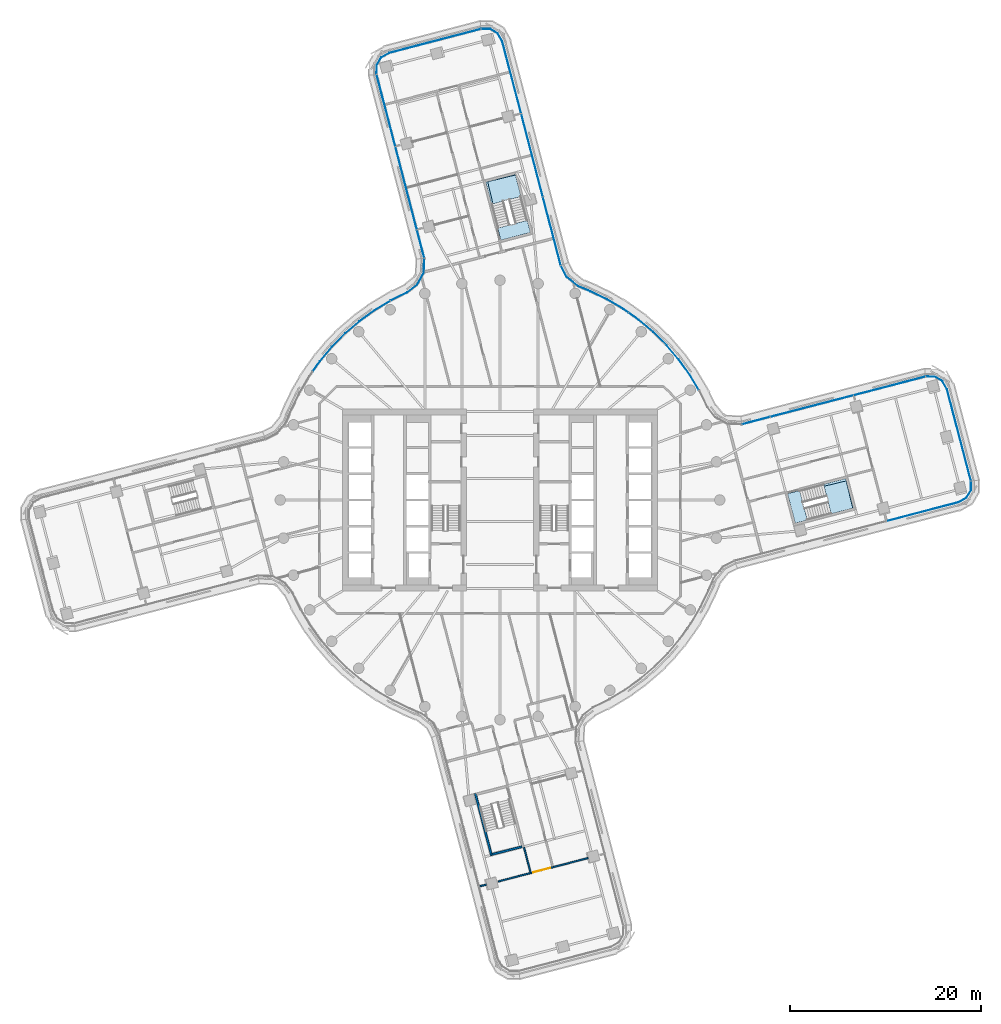
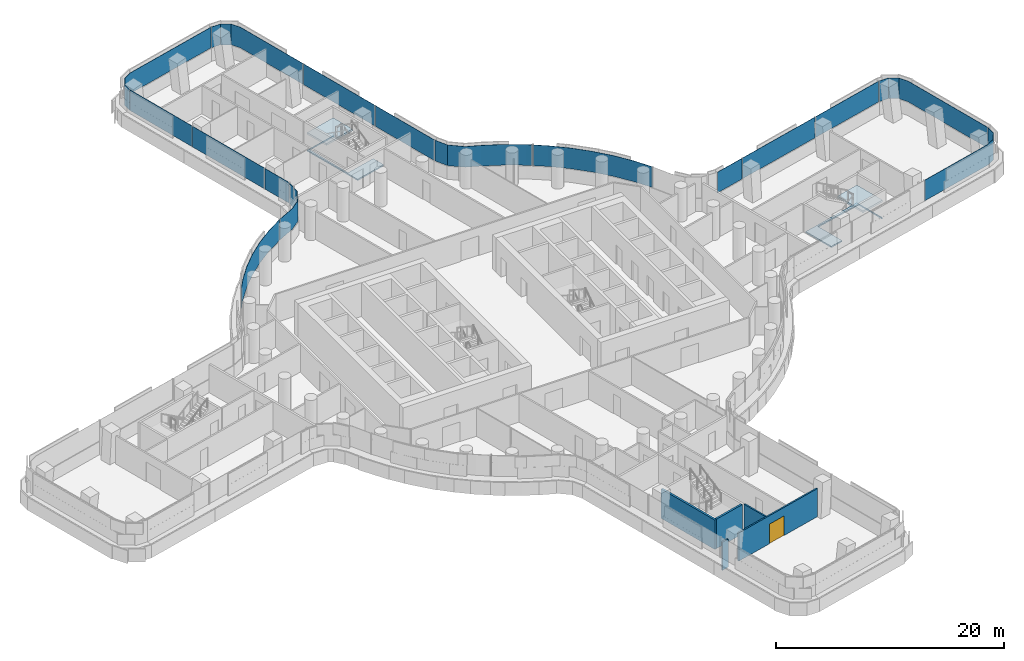
# One storey, part 17 of 30: 16 plates, 5 walls, 4 slabs, 1 door, 1 opening, 10 elements without a shape of their own.
"""IFC4 building model written with IfcOpenShell, lengths in metres."""

from ifc_helpers import new_model, si_unit, direction, frame, frame_2d, origin, place, context, subcontext, project, spatial, polyline, rectangle, outline, extrude, material, layer, layer_set, type_object, element, fill, aggregate, save


model = new_model("IFC4")

# Units and contexts
model_context = context("Model", 3, precision=1e-05, world=origin(), true_north=direction((0.0, 1.0)))
body_context = subcontext(model_context, "Body", "Model", "MODEL_VIEW")
ifc_project = project(units=[si_unit("LENGTHUNIT", "METRE"), si_unit("AREAUNIT", "SQUARE_METRE"), si_unit("VOLUMEUNIT", "CUBIC_METRE"), si_unit("PLANEANGLEUNIT", "RADIAN"), si_unit("MASSUNIT", "GRAM", prefix="KILO")], contexts=[model_context])

# Site, building, storey
site_placement = place(None, origin())
site = spatial("IfcSite", under=ifc_project, at=site_placement, CompositionType="ELEMENT")
building_placement = place(site_placement, origin())
building = spatial("IfcBuilding", under=site, at=building_placement, Name="Tamarind Cross Interchange Tower", CompositionType="ELEMENT")
storey_placement = place(building_placement, frame((0.0, 0.0, 87.25)))
storey = spatial("IfcBuildingStorey", under=building, at=storey_placement, Name="L20", CompositionType="ELEMENT", Elevation=87.25)

# Slabs
ifc_material_1 = material(Name="Concrete C35", Category="concrete")
ifc_layer_1 = layer(ifc_material_1, 0.139892578125)
ifc_layer_set_1 = layer_set([ifc_layer_1], Name="Concrete C35")
slab_type_1 = type_object("IfcSlabType", Name="Composite slab 140 Concrete C35", PredefinedType="FLOOR", material=ifc_layer_set_1)
slab_1_placement = place(storey_placement, frame((0.0, 0.0, -0.139892578125)))
element("IfcSlab", 1, at=slab_1_placement, inside=storey, type_object=slab_type_1, Name="Floor slab L20", PredefinedType="FLOOR", context=body_context, shape_type="SweptSolid", body=[
    extrude(outline(polyline([(0.092041015625, 27.19140625), (3.188232421875, 27.99951171875), (2.85693359375, 29.26904296875), (-0.127685546875, 28.489990234375), (-1.29296875, 33.312744140625), (1.617919921875, 34.01611328125), (1.597412109375, 34.095458984375), (-1.498779296875, 33.287353515625), (0.092041015625, 27.19140625)])), origin(), (0.0, 0.0, 1.0), 0.139892578125),
])
slab_2_placement = place(storey_placement, frame((0.0, 0.0, -0.139892578125)))
element("IfcSlab", 2, at=slab_2_placement, inside=storey, type_object=slab_type_1, Name="Floor slab L20", PredefinedType="FLOOR", context=body_context, shape_type="SweptSolid", body=[
    extrude(outline(polyline([(36.22900390625, 1.997314453125), (36.919189453125, -0.8603515625), (36.998291015625, -0.83984375), (36.190185546875, 2.256591796875), (30.09423828125, 0.66552734375), (30.90234375, -2.4306640625), (32.171875, -2.099365234375), (31.40673828125, 0.83251953125), (36.22900390625, 1.997314453125)])), origin(), (0.0, 0.0, 1.0), 0.139892578125),
])

# Stair, slab
ifc_material_2 = material(Name="Exit stair")
stair_type = type_object("IfcStairType", Name="Exit stair", PredefinedType="HALF_TURN_STAIR", material=ifc_material_2)
stair_1_placement = place(storey_placement, origin())
stair_1 = element("IfcStair", 3, at=stair_1_placement, inside=storey, type_object=stair_type, Name="L20 exit stair ST3", PredefinedType="HALF_TURN_STAIR")
ifc_material_3 = material(Name="Concrete C40", Category="concrete")
ifc_layer_2 = layer(ifc_material_3, 0.199951171875)
ifc_layer_set_2 = layer_set([ifc_layer_2], Name="Concrete C40")
slab_type_2 = type_object("IfcSlabType", Name="Stair landing", PredefinedType="LANDING", material=ifc_layer_set_2)
slab_3_placement = place(storey_placement, frame((0.0, 0.0, 1.675048828125)))
slab_3 = element("IfcSlab", 4, at=slab_3_placement, type_object=slab_type_2, Name="ST3 landing 1", PredefinedType="LANDING", context=body_context, shape_type="SweptSolid", body=[
    extrude(outline(polyline([(34.664306640625, -1.44873046875), (36.998046875, -0.83984375), (36.190185546875, 2.256591796875), (33.856201171875, 1.6474609375), (34.664306640625, -1.44873046875)])), origin(), (0.0, 0.0, 1.0), 0.199951171875),
])
aggregate(stair_1, [slab_3])

stair_2_placement = place(storey_placement, origin())
stair_2 = element("IfcStair", 5, at=stair_2_placement, inside=storey, type_object=stair_type, Name="L20 exit stair ST4", PredefinedType="HALF_TURN_STAIR")
slab_4_placement = place(storey_placement, frame((0.0, 0.0, 1.675048828125)))
slab_4 = element("IfcSlab", 6, at=slab_4_placement, type_object=slab_type_2, Name="ST4 landing 1", PredefinedType="LANDING", context=body_context, shape_type="SweptSolid", body=[
    extrude(outline(polyline([(2.20654296875, 31.761474609375), (1.597412109375, 34.095458984375), (-1.4990234375, 33.287353515625), (-0.889892578125, 30.953369140625), (2.20654296875, 31.761474609375)])), origin(), (0.0, 0.0, 1.0), 0.199951171875),
])
aggregate(stair_2, [slab_4])

# Curtain wall, plate
ifc_material_4 = material(Name="Aluminium 6063-T6", Category="aluminium")
ifc_layer_3 = layer(ifc_material_4, 0.159912109375)
ifc_layer_set_3 = layer_set([ifc_layer_3], Name="Aluminium 6063-T6")
curtain_wall_type = type_object("IfcCurtainWallType", Name="Office curtain wall, 9.0 m bays", PredefinedType="NOTDEFINED", material=ifc_layer_set_3)
curtain_wall_1_placement = place(storey_placement, origin())
curtain_wall_1 = element("IfcCurtainWall", 7, at=curtain_wall_1_placement, inside=storey, type_object=curtain_wall_type, Name="CWS-L20-00", PredefinedType="NOTDEFINED")
ifc_material_5 = material(Name="Laminated low-e glass 8+1.52+8", Category="glass")
ifc_layer_4 = layer(ifc_material_5, 0.028076171875)
ifc_layer_set_4 = layer_set([ifc_layer_4], Name="Laminated low-e glass 8+1.52+8")
plate_type = type_object("IfcPlateType", Name="Vision panel CW1", PredefinedType="CURTAIN_PANEL", material=ifc_layer_set_4)
plate_1_placement = place(storey_placement, frame((0.0, 0.0, 1.39990234375)))
plate_1 = element("IfcPlate", 8, at=plate_1_placement, type_object=plate_type, Name="CWP-L20-00-00", PredefinedType="CURTAIN_PANEL", context=body_context, shape_type="SweptSolid", body=[
    extrude(outline(polyline([(-2.0087890625, 49.273681640625), (-11.60302734375, 46.76953125), (-12.428466796875, 46.300048828125), (-12.89404296875, 45.505859375), (-12.89990234375, 44.584228515625), (-12.927978515625, 44.58447265625), (-12.921875, 45.513671875), (-12.448974609375, 46.32080078125), (-11.613525390625, 46.7958984375), (-2.015869140625, 49.30078125), (-2.0087890625, 49.273681640625)])), origin(), (0.0, 0.0, 1.0), 2.210205078125),
])
aggregate(curtain_wall_1, [plate_1])

# Curtain wall, plates
curtain_wall_2_placement = place(storey_placement, origin())
curtain_wall_2 = element("IfcCurtainWall", 9, at=curtain_wall_2_placement, inside=storey, type_object=curtain_wall_type, Name="CWS-L20-01", PredefinedType="NOTDEFINED")
plate_2_placement = place(storey_placement, frame((0.0, 0.0, 1.39990234375)))
plate_2 = element("IfcPlate", 10, at=plate_2_placement, type_object=plate_type, Name="CWP-L20-01-00", PredefinedType="CURTAIN_PANEL", context=body_context, shape_type="SweptSolid", body=[
    extrude(outline(polyline([(-12.89306640625, 44.52880859375), (-10.945068359375, 37.025146484375), (-10.972412109375, 37.01806640625), (-12.920166015625, 44.521728515625), (-12.89306640625, 44.52880859375)])), origin(), (0.0, 0.0, 1.0), 2.210205078125),
])
plate_3_placement = place(storey_placement, frame((0.0, 0.0, 1.39990234375)))
plate_3 = element("IfcPlate", 11, at=plate_3_placement, type_object=plate_type, Name="CWP-L20-01-01", PredefinedType="CURTAIN_PANEL", context=body_context, shape_type="SweptSolid", body=[
    extrude(outline(polyline([(-10.93017578125, 36.967041015625), (-8.683349609375, 28.312255859375), (-8.71044921875, 28.30517578125), (-10.957275390625, 36.9599609375), (-10.93017578125, 36.967041015625)])), origin(), (0.0, 0.0, 1.0), 2.210205078125),
])
plate_4_placement = place(storey_placement, frame((0.0, 0.0, 1.39990234375)))
plate_4 = element("IfcPlate", 12, at=plate_4_placement, type_object=plate_type, Name="CWP-L20-01-02", PredefinedType="CURTAIN_PANEL", context=body_context, shape_type="SweptSolid", body=[
    extrude(outline(polyline([(-8.668212890625, 28.254150390625), (-7.911376953125, 25.338623046875), (-7.9384765625, 25.33154296875), (-8.6953125, 28.2470703125), (-8.668212890625, 28.254150390625)])), origin(), (0.0, 0.0, 1.0), 2.210205078125),
])
aggregate(curtain_wall_2, [plate_2, plate_3, plate_4])

curtain_wall_3_placement = place(storey_placement, origin())
curtain_wall_3 = element("IfcCurtainWall", 13, at=curtain_wall_3_placement, inside=storey, type_object=curtain_wall_type, Name="CWS-L20-02", PredefinedType="NOTDEFINED")
plate_5_placement = place(storey_placement, frame((0.0, 0.0, 1.39990234375)))
plate_5 = element("IfcPlate", 14, at=plate_5_placement, type_object=plate_type, Name="CWP-L20-02-00", PredefinedType="CURTAIN_PANEL", context=body_context, shape_type="SweptSolid", body=[
    extrude(outline(polyline([(-7.90478515625, 25.275390625), (-7.969482421875, 23.771728515625), (-8.66455078125, 22.517822265625), (-9.695068359375, 21.7138671875), (-11.40869140625, 20.866455078125), (-11.4423828125, 20.84619140625), (-11.456787109375, 20.870361328125), (-11.422119140625, 20.89111328125), (-9.710205078125, 21.73779296875), (-8.686279296875, 22.536376953125), (-7.9970703125, 23.779541015625), (-7.9326171875, 25.276611328125), (-7.90478515625, 25.275390625)])), origin(), (0.0, 0.0, 1.0), 2.210205078125),
])
plate_6_placement = place(storey_placement, frame((0.0, 0.0, 1.39990234375)))
plate_6 = element("IfcPlate", 15, at=plate_6_placement, type_object=plate_type, Name="CWP-L20-02-01", PredefinedType="CURTAIN_PANEL", context=body_context, shape_type="SweptSolid", body=[
    extrude(outline(polyline([(-11.493896484375, 20.8154296875), (-13.093017578125, 19.85302734375), (-14.687744140625, 18.7041015625), (-16.18212890625, 17.42724609375), (-17.56591796875, 16.031494140625), (-18.829833984375, 14.526123046875), (-19.591796875, 13.448974609375), (-19.61474609375, 13.46533203125), (-18.85205078125, 14.543212890625), (-17.586669921875, 16.05029296875), (-16.201171875, 17.44775390625), (-14.705078125, 18.72607421875), (-13.1083984375, 19.87646484375), (-11.50830078125, 20.83935546875), (-11.493896484375, 20.8154296875)])), origin(), (0.0, 0.0, 1.0), 2.210205078125),
])
aggregate(curtain_wall_3, [plate_5, plate_6])

# Curtain wall, plate
curtain_wall_4_placement = place(storey_placement, origin())
curtain_wall_4 = element("IfcCurtainWall", 16, at=curtain_wall_4_placement, inside=storey, type_object=curtain_wall_type, Name="CWS-L20-11", PredefinedType="NOTDEFINED")
plate_7_placement = place(storey_placement, frame((0.0, 0.0, 1.39990234375)))
plate_7 = element("IfcPlate", 17, at=plate_7_placement, type_object=plate_type, Name="CWP-L20-11-02", PredefinedType="CURTAIN_PANEL", context=body_context, shape_type="SweptSolid", body=[
    extrude(outline(polyline([(40.4580078125, -2.196044921875), (47.9833984375, -0.23193359375), (48.80908203125, 0.237548828125), (49.2744140625, 1.03173828125), (49.280517578125, 1.953369140625), (49.30859375, 1.953125), (49.302490234375, 1.024169921875), (48.829345703125, 0.217041015625), (47.994140625, -0.258056640625), (40.465087890625, -2.22314453125), (40.4580078125, -2.196044921875)])), origin(), (0.0, 0.0, 1.0), 2.210205078125),
])
aggregate(curtain_wall_4, [plate_7])

curtain_wall_5_placement = place(storey_placement, origin())
curtain_wall_5 = element("IfcCurtainWall", 18, at=curtain_wall_5_placement, inside=storey, type_object=curtain_wall_type, Name="CWS-L20-12", PredefinedType="NOTDEFINED")
plate_8_placement = place(storey_placement, frame((0.0, 0.0, 1.39990234375)))
plate_8 = element("IfcPlate", 19, at=plate_8_placement, type_object=plate_type, Name="CWP-L20-12-00", PredefinedType="CURTAIN_PANEL", context=body_context, shape_type="SweptSolid", body=[
    extrude(outline(polyline([(49.273681640625, 2.0087890625), (46.76953125, 11.60302734375), (46.300048828125, 12.428466796875), (45.505859375, 12.89404296875), (44.584228515625, 12.89990234375), (44.58447265625, 12.927978515625), (45.513671875, 12.921875), (46.32080078125, 12.448974609375), (46.7958984375, 11.613525390625), (49.30078125, 2.015869140625), (49.273681640625, 2.0087890625)])), origin(), (0.0, 0.0, 1.0), 2.210205078125),
])
aggregate(curtain_wall_5, [plate_8])

# Curtain wall, plates
curtain_wall_6_placement = place(storey_placement, origin())
curtain_wall_6 = element("IfcCurtainWall", 20, at=curtain_wall_6_placement, inside=storey, type_object=curtain_wall_type, Name="CWS-L20-13", PredefinedType="NOTDEFINED")
plate_9_placement = place(storey_placement, frame((0.0, 0.0, 1.39990234375)))
plate_9 = element("IfcPlate", 21, at=plate_9_placement, type_object=plate_type, Name="CWP-L20-13-00", PredefinedType="CURTAIN_PANEL", context=body_context, shape_type="SweptSolid", body=[
    extrude(outline(polyline([(44.52880859375, 12.89306640625), (37.025146484375, 10.945068359375), (37.01806640625, 10.972412109375), (44.521728515625, 12.920166015625), (44.52880859375, 12.89306640625)])), origin(), (0.0, 0.0, 1.0), 2.210205078125),
])
plate_10_placement = place(storey_placement, frame((0.0, 0.0, 1.39990234375)))
plate_10 = element("IfcPlate", 22, at=plate_10_placement, type_object=plate_type, Name="CWP-L20-13-01", PredefinedType="CURTAIN_PANEL", context=body_context, shape_type="SweptSolid", body=[
    extrude(outline(polyline([(36.967041015625, 10.93017578125), (28.312255859375, 8.683349609375), (28.30517578125, 8.71044921875), (36.9599609375, 10.957275390625), (36.967041015625, 10.93017578125)])), origin(), (0.0, 0.0, 1.0), 2.210205078125),
])
plate_11_placement = place(storey_placement, frame((0.0, 0.0, 1.39990234375)))
plate_11 = element("IfcPlate", 23, at=plate_11_placement, type_object=plate_type, Name="CWP-L20-13-02", PredefinedType="CURTAIN_PANEL", context=body_context, shape_type="SweptSolid", body=[
    extrude(outline(polyline([(28.254150390625, 8.668212890625), (25.338623046875, 7.911376953125), (25.33154296875, 7.9384765625), (28.2470703125, 8.6953125), (28.254150390625, 8.668212890625)])), origin(), (0.0, 0.0, 1.0), 2.210205078125),
])
aggregate(curtain_wall_6, [plate_9, plate_10, plate_11])

curtain_wall_7_placement = place(storey_placement, origin())
curtain_wall_7 = element("IfcCurtainWall", 24, at=curtain_wall_7_placement, inside=storey, type_object=curtain_wall_type, Name="CWS-L20-14", PredefinedType="NOTDEFINED")
plate_12_placement = place(storey_placement, frame((0.0, 0.0, 1.39990234375)))
plate_12 = element("IfcPlate", 25, at=plate_12_placement, type_object=plate_type, Name="CWP-L20-14-01", PredefinedType="CURTAIN_PANEL", context=body_context, shape_type="SweptSolid", body=[
    extrude(outline(polyline([(20.8154296875, 11.493896484375), (19.85302734375, 13.093017578125), (18.7041015625, 14.687744140625), (17.42724609375, 16.18212890625), (16.031494140625, 17.56591796875), (14.526123046875, 18.829833984375), (13.448974609375, 19.591796875), (13.46533203125, 19.61474609375), (14.543212890625, 18.85205078125), (16.05029296875, 17.586669921875), (17.44775390625, 16.201171875), (18.72607421875, 14.705078125), (19.87646484375, 13.1083984375), (20.83935546875, 11.50830078125), (20.8154296875, 11.493896484375)])), origin(), (0.0, 0.0, 1.0), 2.210205078125),
])
plate_13_placement = place(storey_placement, frame((0.0, 0.0, 1.39990234375)))
plate_13 = element("IfcPlate", 26, at=plate_13_placement, type_object=plate_type, Name="CWP-L20-14-02", PredefinedType="CURTAIN_PANEL", context=body_context, shape_type="SweptSolid", body=[
    extrude(outline(polyline([(13.400146484375, 19.62646484375), (12.921630859375, 19.965087890625), (11.228759765625, 20.9638671875), (9.456787109375, 21.82080078125), (8.186279296875, 22.3466796875), (6.9609375, 23.337158203125), (6.364501953125, 24.51220703125), (6.3896484375, 24.52490234375), (6.983154296875, 23.355224609375), (8.20068359375, 22.37109375), (9.46826171875, 21.846435546875), (11.241943359375, 20.98876953125), (12.936767578125, 19.988525390625), (13.416259765625, 19.6494140625), (13.400146484375, 19.62646484375)])), origin(), (0.0, 0.0, 1.0), 2.210205078125),
])
aggregate(curtain_wall_7, [plate_12, plate_13])

curtain_wall_8_placement = place(storey_placement, origin())
curtain_wall_8 = element("IfcCurtainWall", 27, at=curtain_wall_8_placement, inside=storey, type_object=curtain_wall_type, Name="CWS-L20-15", PredefinedType="NOTDEFINED")
plate_14_placement = place(storey_placement, frame((0.0, 0.0, 1.39990234375)))
plate_14 = element("IfcPlate", 28, at=plate_14_placement, type_object=plate_type, Name="CWP-L20-15-00", PredefinedType="CURTAIN_PANEL", context=body_context, shape_type="SweptSolid", body=[
    extrude(outline(polyline([(6.34228515625, 24.57080078125), (4.4833984375, 31.693359375), (4.510498046875, 31.700439453125), (6.369384765625, 24.577880859375), (6.34228515625, 24.57080078125)])), origin(), (0.0, 0.0, 1.0), 2.210205078125),
])
plate_15_placement = place(storey_placement, frame((0.0, 0.0, 1.39990234375)))
plate_15 = element("IfcPlate", 29, at=plate_15_placement, type_object=plate_type, Name="CWP-L20-15-01", PredefinedType="CURTAIN_PANEL", context=body_context, shape_type="SweptSolid", body=[
    extrude(outline(polyline([(4.46826171875, 31.75146484375), (2.211181640625, 40.39990234375), (2.23828125, 40.406982421875), (4.495361328125, 31.758544921875), (4.46826171875, 31.75146484375)])), origin(), (0.0, 0.0, 1.0), 2.210205078125),
])
plate_16_placement = place(storey_placement, frame((0.0, 0.0, 1.39990234375)))
plate_16 = element("IfcPlate", 30, at=plate_16_placement, type_object=plate_type, Name="CWP-L20-15-02", PredefinedType="CURTAIN_PANEL", context=body_context, shape_type="SweptSolid", body=[
    extrude(outline(polyline([(2.196044921875, 40.4580078125), (0.23193359375, 47.9833984375), (-0.237548828125, 48.80908203125), (-1.03173828125, 49.2744140625), (-1.953369140625, 49.280517578125), (-1.953125, 49.30859375), (-1.024169921875, 49.302490234375), (-0.217041015625, 48.829345703125), (0.258056640625, 47.994140625), (2.22314453125, 40.465087890625), (2.196044921875, 40.4580078125)])), origin(), (0.0, 0.0, 1.0), 2.210205078125),
])
aggregate(curtain_wall_8, [plate_14, plate_15, plate_16])

# Walls
ifc_material_6 = material(Name="Gypsum board partition on steel studs", Category="steel")
ifc_layer_5 = layer(ifc_material_6, 0.14990234375)
ifc_layer_set_5 = layer_set([ifc_layer_5], Name="Gypsum board partition on steel studs")
wall_type_1 = type_object("IfcWallType", Name="Partition 150 mm EI 120", PredefinedType="PARTITIONING", material=ifc_layer_set_5)
wall_1_placement = place(storey_placement, frame((2.51513671875, -36.370361328125, 0.0), z_axis=(0.0, 0.0, 1.0), x_axis=(0.252877164458, -0.967498392606, 0.0)))
element("IfcWall", 31, at=wall_1_placement, inside=storey, type_object=wall_type_1, Name="Partition L20-017", PredefinedType="PARTITIONING", context=body_context, shape_type="SweptSolid", body=[
    extrude(rectangle(XDim=2.684814453125, YDim=0.14990234375, at=frame_2d((1.34228515625, 0.0))), origin(), (0.0, 0.0, 1.0), 3.010009765625),
])
wall_2_placement = place(storey_placement, frame((-2.11328125, -40.430908203125, 0.0), z_axis=(0.0, 0.0, 1.0), x_axis=(0.967602659433, 0.25247790687, 0.0)))
element("IfcWall", 32, at=wall_2_placement, inside=storey, type_object=wall_type_1, Name="Partition L20-061", PredefinedType="PARTITIONING", context=body_context, shape_type="SweptSolid", body=[
    extrude(rectangle(XDim=0.709716796875, YDim=0.14990234375, at=frame_2d((0.35498046875, 0.0))), origin(), (0.0, 0.0, 1.0), 3.010009765625),
])

# Wall, opening, door
wall_3_placement = place(storey_placement, frame((-0.174072265625, -39.9248046875, 0.0), z_axis=(0.0, 0.0, 1.0), x_axis=(0.967594829243, 0.252507913582, 0.0)))
wall_3 = element("IfcWall", 33, at=wall_3_placement, inside=storey, type_object=wall_type_1, Name="Partition L20-062", PredefinedType="PARTITIONING", context=body_context, shape_type="SweptSolid", body=[
    extrude(rectangle(XDim=9.705322265625, YDim=0.14990234375, at=frame_2d((4.8525390625, 0.0))), origin(), (0.0, 0.0, 1.0), 3.010009765625),
])
opening_placement = place(wall_3_placement, frame((3.79541015625, 0.0, 0.0)))
opening = element("IfcOpeningElement", 34, at=opening_placement, cuts=wall_3, Name="Opening D35", PredefinedType="OPENING", context=body_context, shape_type="SweptSolid", body=[
    extrude(rectangle(XDim=1.800048828125, YDim=2.10009765625, at=frame_2d((0.89990234375, 1.050048828125))), frame((0.0, 0.0849609375, 0.0), z_axis=(0.0, -1.0, 0.0), x_axis=(1.0, 0.0, 0.0)), (0.0, 0.0, 1.0), 0.169921875),
])
ifc_material_7 = material(Name="Fire-resisting door set")
door_type = type_object("IfcDoorType", Name="Interior door 1800 x 2100 FD60S", OperationType="DOUBLE_DOOR_SINGLE_SWING", PredefinedType="DOOR", material=ifc_material_7)
door_placement = place(opening_placement, frame((1.800048828125, 0.0, 0.0), z_axis=(0.0, 0.0, 1.0), x_axis=(-1.0, 0.0, 0.0)))
door = element("IfcDoor", 35, at=door_placement, inside=storey, type_object=door_type, Name="Door D35", OperationType="DOUBLE_DOOR_SINGLE_SWING", OverallHeight=2.10009765625, OverallWidth=1.800048828125, PredefinedType="DOOR", context=body_context, shape_type="SweptSolid", body=[
    extrude(rectangle(XDim=1.800048828125, YDim=2.10009765625, at=frame_2d((0.89990234375, 1.050048828125))), frame((0.0, 0.02490234375, 0.0), z_axis=(0.0, -1.0, 0.0), x_axis=(1.0, 0.0, 0.0)), (0.0, 0.0, 1.0), 0.050048828125),
])
fill(opening, door)

# Walls
ifc_layer_6 = layer(ifc_material_3, 0.199951171875)
ifc_layer_set_6 = layer_set([ifc_layer_6], Name="Concrete C40")
wall_type_2 = type_object("IfcWallType", Name="Stair shaft wall 200 mm Concrete C40", PredefinedType="SHEAR", material=ifc_layer_set_6)
wall_4_placement = place(storey_placement, frame((-2.577880859375, -30.734130859375, -0.139892578125), z_axis=(0.0, 0.0, 1.0), x_axis=(0.25252870007, -0.967589404469, 0.0)))
element("IfcWall", 36, at=wall_4_placement, inside=storey, type_object=wall_type_2, Name="Core wall CWL-L20-ST6-C", PredefinedType="SHEAR", context=body_context, shape_type="SweptSolid", body=[
    extrude(rectangle(XDim=6.69970703125, YDim=0.199951171875, at=frame_2d((3.349853515625, 0.0))), origin(), (0.0, 0.0, 1.0), 3.14990234375),
])
wall_5_placement = place(storey_placement, frame((0.0, 0.0, -0.139892578125)))
element("IfcWall", 37, at=wall_5_placement, inside=storey, type_object=wall_type_2, Name="Core wall CWL-L20-ST6-CF", PredefinedType="SHEAR", context=body_context, shape_type="SweptSolid", body=[
    extrude(outline(polyline([(-0.83984375, -36.998291015625), (-0.789306640625, -37.191650390625), (2.306884765625, -36.383544921875), (2.256591796875, -36.190185546875), (-0.83984375, -36.998291015625)])), origin(), (0.0, 0.0, 1.0), 3.14990234375),
])

save(model, "model.ifc")
